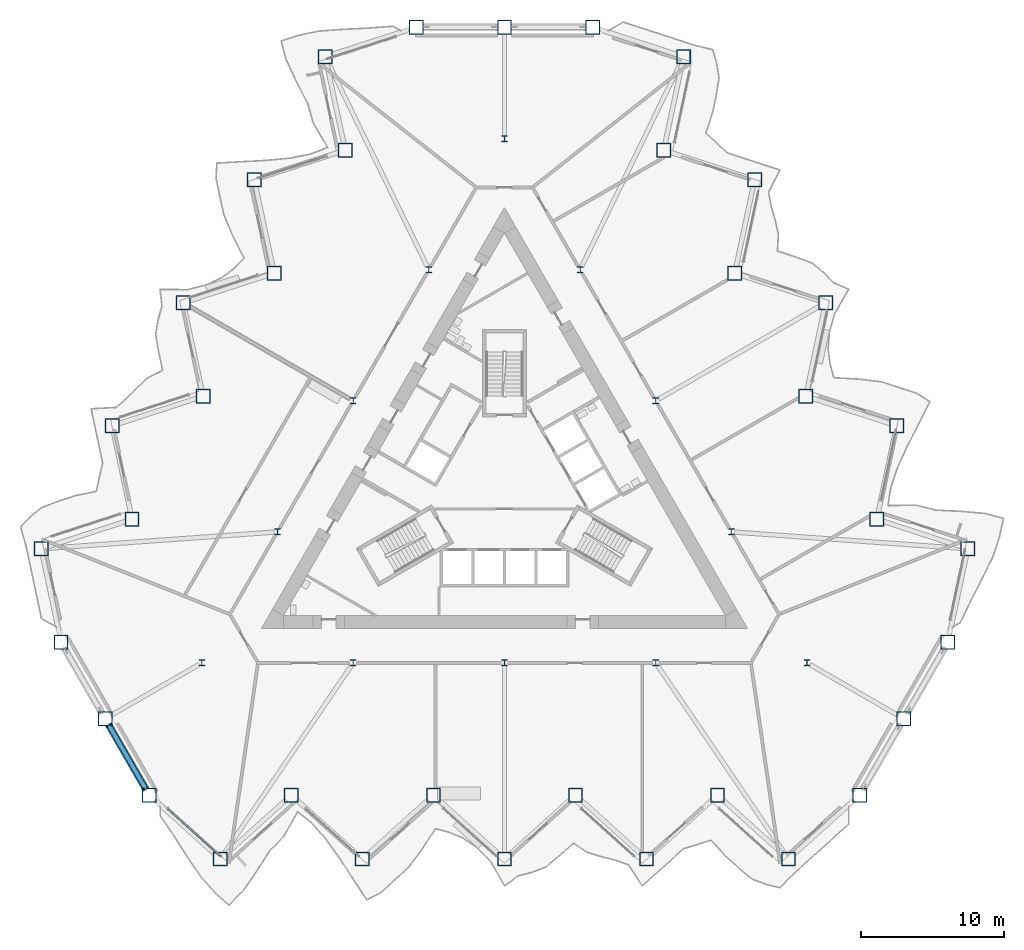
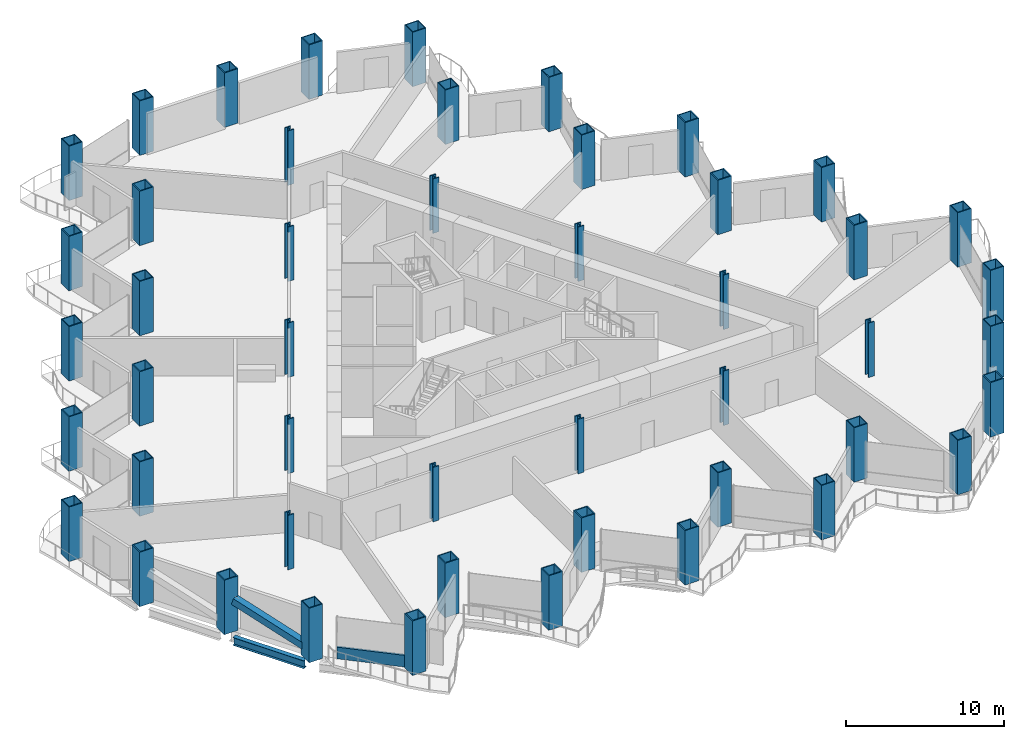
# One storey, part 1 of 20: 48 columns, 2 members, 1 beam, 1 element without a shape of its own.
"""IFC4 building model written with IfcOpenShell, lengths in metres."""

from ifc_helpers import new_model, si_unit, direction, frame, origin, origin_2d, place, context, subcontext, project, spatial, rectangle, hollow_rectangle, i_section, extrude, material, layer, layer_set, material_profile, profile_set, type_object, element, aggregate, save


model = new_model("IFC4")

# Units and contexts
model_context = context("Model", 3, precision=1e-05, world=origin(), true_north=direction((0.0, 1.0)))
body_context = subcontext(model_context, "Body", "Model", "MODEL_VIEW")
ifc_project = project(units=[si_unit("LENGTHUNIT", "METRE"), si_unit("AREAUNIT", "SQUARE_METRE"), si_unit("VOLUMEUNIT", "CUBIC_METRE"), si_unit("PLANEANGLEUNIT", "RADIAN"), si_unit("MASSUNIT", "GRAM", prefix="KILO")], contexts=[model_context])

# Site, building, storey
site_placement = place(None, origin())
site = spatial("IfcSite", under=ifc_project, at=site_placement, CompositionType="ELEMENT")
building_placement = place(site_placement, origin())
building = spatial("IfcBuilding", under=site, at=building_placement, Name="Cormorant Prow Tower", CompositionType="ELEMENT")
storey_placement = place(building_placement, frame((0.0, 0.0, 34.199951171875)))
storey = spatial("IfcBuildingStorey", under=building, at=storey_placement, Name="L06", CompositionType="ELEMENT", Elevation=34.199951171875)

# Columns
ifc_material_1 = material(Name="Structural steel ASTM A572 Gr 50", Category="steel")
ifc_material_profile_1 = material_profile(ifc_material_1, hollow_rectangle(XDim=1.0, YDim=1.0, WallThickness=0.070068359375, at=origin_2d()), Name="Box 1000x1000x70")
ifc_profile_set_1 = profile_set([ifc_material_profile_1], Name="Structural steel ASTM A572 Gr 50")
column_type_1 = type_object("IfcColumnType", Name="Perimeter box column 1000x1000x70", PredefinedType="COLUMN", material=ifc_profile_set_1)
for number, where, z_axis, x_axis, name in (
    (1, (-24.830322265625, -21.4599609375, 0.0), (0.0, 0.0, 1.0), (1.0, 0.0, 0.0), "Perimeter column C2 at S00 L06"),
    (2, (-19.8642578125, -25.931396484375, 0.0), (0.0, 0.0, 1.0), (1.0, 0.0, 0.0), "Perimeter column C2 at S01 L06"),
    (3, (-14.898193359375, -21.4599609375, 0.0), (0.0, 0.0, 1.0), (1.0, 0.0, 0.0), "Perimeter column C2 at S02 L06"),
    (4, (-9.93212890625, -25.931396484375, 0.0), (0.0, 0.0, 1.0), (1.0, 0.0, 0.0), "Perimeter column C2 at S03 L06"),
    (5, (-4.966064453125, -21.4599609375, 0.0), (0.0, 0.0, 1.0), (1.0, 0.0, 0.0), "Perimeter column C2 at S04 L06"),
    (6, (0.0, -25.931396484375, 0.0), (0.0, 0.0, 1.0), (1.0, 0.0, 0.0), "Perimeter column C2 at S05 L06"),
    (7, (4.966064453125, -21.4599609375, 0.0), (0.0, 0.0, 1.0), (1.0, 0.0, 0.0), "Perimeter column C2 at S06 L06"),
    (8, (9.93212890625, -25.931396484375, 0.0), (0.0, 0.0, 1.0), (1.0, 0.0, 0.0), "Perimeter column C2 at S07 L06"),
    (9, (14.898193359375, -21.4599609375, 0.0), (0.0, 0.0, 1.0), (1.0, 0.0, 0.0), "Perimeter column C2 at S08 L06"),
    (10, (19.8642578125, -25.931396484375, 0.0), (0.0, 0.0, 1.0), (1.0, 0.0, 0.0), "Perimeter column C2 at S09 L06"),
    (11, (24.830322265625, -21.4599609375, 0.0), (0.0, 0.0, 1.0), (1.0, 0.0, 0.0), "Perimeter column C2 at ESE00 L06"),
    (12, (27.915283203125, -16.116943359375, 0.0), (0.0, 0.0, 1.0), (1.0, 0.0, 0.0), "Perimeter column C2 at ESE01 L06"),
    (13, (31.0, -10.773681640625, 0.0), (0.0, 0.0, 1.0), (1.0, 0.0, 0.0), "Perimeter column C2 at ENE00 L06"),
    (14, (32.389404296875, -4.2373046875, 0.0), (0.0, 0.0, 1.0), (1.0, 0.0, 0.0), "Perimeter column C2 at ENE01 L06"),
    (15, (26.033935546875, -2.17236328125, 0.0), (0.0, 0.0, 1.0), (1.0, 0.0, 0.0), "Perimeter column C2 at ENE02 L06"),
    (16, (27.42333984375, 4.3642578125, 0.0), (0.0, 0.0, 1.0), (1.0, 0.0, 0.0), "Perimeter column C2 at ENE03 L06"),
    (17, (21.06787109375, 6.42919921875, 0.0), (0.0, 0.0, 1.0), (1.0, 0.0, 0.0), "Perimeter column C2 at ENE04 L06"),
    (18, (22.457275390625, 12.965576171875, 0.0), (0.0, 0.0, 1.0), (1.0, 0.0, 0.0), "Perimeter column C2 at ENE05 L06"),
    (19, (16.101806640625, 15.03076171875, 0.0), (0.0, 0.0, 1.0), (1.0, 0.0, 0.0), "Perimeter column C2 at ENE06 L06"),
    (20, (17.4912109375, 21.567138671875, 0.0), (0.0, 0.0, 1.0), (1.0, 0.0, 0.0), "Perimeter column C2 at ENE07 L06"),
    (21, (11.1357421875, 23.632080078125, 0.0), (0.0, 0.0, 1.0), (1.0, 0.0, 0.0), "Perimeter column C2 at ENE08 L06"),
    (22, (12.525146484375, 30.168701171875, 0.0), (0.0, 0.0, 1.0), (1.0, 0.0, 0.0), "Perimeter column C2 at ENE09 L06"),
    (23, (6.169677734375, 32.233642578125, 0.0), (0.0, 0.0, 1.0), (1.0, 0.0, 0.0), "Perimeter column C2 at N00 L06"),
    (24, (0.0, 32.233642578125, 0.0), (0.0, 0.0, 1.0), (1.0, 0.0, 0.0), "Perimeter column C2 at N01 L06"),
    (25, (-6.169677734375, 32.233642578125, 0.0), (0.0, 0.0, 1.0), (1.0, 0.0, 0.0), "Perimeter column C2 at WNW00 L06"),
    (26, (-12.525146484375, 30.168701171875, 0.0), (0.0, 0.0, 1.0), (1.0, 0.0, 0.0), "Perimeter column C2 at WNW01 L06"),
    (27, (-11.1357421875, 23.632080078125, 0.0), (0.0, 0.0, 1.0), (1.0, 0.0, 0.0), "Perimeter column C2 at WNW02 L06"),
    (28, (-17.4912109375, 21.567138671875, 0.0), (0.0, 0.0, 1.0), (1.0, 0.0, 0.0), "Perimeter column C2 at WNW03 L06"),
    (29, (-16.101806640625, 15.03076171875, 0.0), (0.0, 0.0, 1.0), (1.0, 0.0, 0.0), "Perimeter column C2 at WNW04 L06"),
    (30, (-22.457275390625, 12.965576171875, 0.0), (0.0, 0.0, 1.0), (1.0, 0.0, 0.0), "Perimeter column C2 at WNW05 L06"),
    (31, (-21.06787109375, 6.42919921875, 0.0), (0.0, 0.0, 1.0), (1.0, 0.0, 0.0), "Perimeter column C2 at WNW06 L06"),
    (32, (-27.42333984375, 4.3642578125, 0.0), (0.0, 0.0, 1.0), (1.0, 0.0, 0.0), "Perimeter column C2 at WNW07 L06"),
    (33, (-26.033935546875, -2.17236328125, 0.0), (0.0, 0.0, 1.0), (1.0, 0.0, 0.0), "Perimeter column C2 at WNW08 L06"),
    (34, (-32.389404296875, -4.2373046875, 0.0), (0.0, 0.0, 1.0), (1.0, 0.0, 0.0), "Perimeter column C2 at WNW09 L06"),
    (35, (-31.0, -10.773681640625, 0.0), (0.0, 0.0, 1.0), (1.0, 0.0, 0.0), "Perimeter column C2 at WSW00 L06"),
    (36, (-27.915283203125, -16.116943359375, 0.0), (0.0, 0.0, 1.0), (1.0, 0.0, 0.0), "Perimeter column C2 at WSW01 L06"),
):
    element("IfcColumn", number, at=place(storey_placement, frame(where, z_axis=z_axis, x_axis=x_axis)), inside=storey, type_object=column_type_1, Name=name, PredefinedType="COLUMN", context=body_context, shape_type="SweptSolid", body=[
        extrude(hollow_rectangle(XDim=1.0, YDim=1.0, WallThickness=0.070068359375, at=origin_2d()), origin(), (0.0, 0.0, 1.0), 4.199951171875),
    ])
ifc_material_2 = material(Name="Structural steel ASTM A992 Gr 50", Category="steel")
ifc_material_profile_2 = material_profile(ifc_material_2, i_section(OverallWidth=0.42138671875, OverallDepth=0.464599609375, WebThickness=0.044921875, FlangeThickness=0.072265625, at=origin_2d()), Name="W14x398")
ifc_profile_set_2 = profile_set([ifc_material_profile_2], Name="Structural steel ASTM A992 Gr 50")
column_type_2 = type_object("IfcColumnType", Name="Ring column W14x398", PredefinedType="COLUMN", material=ifc_profile_set_2)
for number, where, z_axis, x_axis, name in (
    (37, (0.0, 24.429931640625, 0.0), (0.0, 0.0, 1.0), (1.0, 0.0, 0.0), "Ring column 1 L06"),
    (38, (-5.289306640625, 15.268798828125, 0.0), (0.0, 0.0, 1.0), (1.0, 0.0, 0.0), "Ring column 2 L06"),
    (39, (-10.578369140625, 6.107421875, 0.0), (0.0, 0.0, 1.0), (1.0, 0.0, 0.0), "Ring column 3 L06"),
    (40, (-15.86767578125, -3.0537109375, 0.0), (0.0, 0.0, 1.0), (1.0, 0.0, 0.0), "Ring column 4 L06"),
    (41, (-21.156982421875, -12.21484375, 0.0), (0.0, 0.0, 1.0), (1.0, 0.0, 0.0), "Ring column 5 L06"),
    (42, (-10.578369140625, -12.21484375, 0.0), (0.0, 0.0, 1.0), (1.0, 0.0, 0.0), "Ring column 6 L06"),
    (43, (0.0, -12.21484375, 0.0), (0.0, 0.0, 1.0), (1.0, 0.0, 0.0), "Ring column 7 L06"),
    (44, (10.578369140625, -12.21484375, 0.0), (0.0, 0.0, 1.0), (1.0, 0.0, 0.0), "Ring column 8 L06"),
    (45, (21.156982421875, -12.21484375, 0.0), (0.0, 0.0, 1.0), (1.0, 0.0, 0.0), "Ring column 9 L06"),
    (46, (15.86767578125, -3.0537109375, 0.0), (0.0, 0.0, 1.0), (1.0, 0.0, 0.0), "Ring column 10 L06"),
    (47, (10.578369140625, 6.107421875, 0.0), (0.0, 0.0, 1.0), (1.0, 0.0, 0.0), "Ring column 11 L06"),
    (48, (5.289306640625, 15.268798828125, 0.0), (0.0, 0.0, 1.0), (1.0, 0.0, 0.0), "Ring column 12 L06"),
):
    element("IfcColumn", number, at=place(storey_placement, frame(where, z_axis=z_axis, x_axis=x_axis)), inside=storey, type_object=column_type_2, Name=name, PredefinedType="COLUMN", context=body_context, shape_type="SweptSolid", body=[
        extrude(i_section(OverallWidth=0.42138671875, OverallDepth=0.464599609375, WebThickness=0.044921875, FlangeThickness=0.072265625, at=origin_2d()), origin(), (0.0, 0.0, 1.0), 4.199951171875),
    ])

# Member
ifc_material_3 = material(Name="Structural steel ASTM A500 Gr C", Category="steel")
ifc_material_profile_3 = material_profile(ifc_material_3, hollow_rectangle(XDim=0.508056640625, YDim=0.508056640625, WallThickness=0.014892578125, at=origin_2d()), Name="HSS20x20x5/8")
ifc_profile_set_3 = profile_set([ifc_material_profile_3], Name="Structural steel ASTM A500 Gr C")
member_type_1 = type_object("IfcMemberType", Name="Chamfer brace HSS20x20x5/8", PredefinedType="BRACE", material=ifc_profile_set_3)
member_1_placement = place(storey_placement, frame((-25.089599609375, -21.0107421875, 0.767333984375), z_axis=(-0.475899695849, 0.824255918841, 0.306792535351), x_axis=(-0.866018434186, -0.500012071504, 0.0)))
element("IfcMember", 49, at=member_1_placement, inside=storey, type_object=member_type_1, Name="Chamfer brace BR1 at WSW01 L06", PredefinedType="BRACE", context=body_context, shape_type="SweptSolid", body=[
    extrude(hollow_rectangle(XDim=0.508056640625, YDim=0.508056640625, WallThickness=0.014892578125, at=origin_2d()), origin(), (0.0, 0.0, 1.0), 5.392333984375),
])

# Curtain wall, member
ifc_material_4 = material(Name="Aluminium 6063-T6", Category="aluminium")
ifc_layer = layer(ifc_material_4, 0.199951171875)
ifc_layer_set = layer_set([ifc_layer], Name="Aluminium 6063-T6")
curtain_wall_type = type_object("IfcCurtainWallType", Name="Office unitised curtain wall 200", PredefinedType="NOTDEFINED", material=ifc_layer_set)
curtain_wall_placement = place(storey_placement, origin())
curtain_wall = element("IfcCurtainWall", 50, at=curtain_wall_placement, inside=storey, type_object=curtain_wall_type, Name="Office curtain wall S00", PredefinedType="NOTDEFINED")
ifc_material_5 = material(Name="Terracotta", Category="masonry")
ifc_material_profile_4 = material_profile(ifc_material_5, rectangle(XDim=0.159912109375, YDim=0.89990234375, at=origin_2d()), Name="Office terracotta spandrel rail 160x900")
ifc_profile_set_4 = profile_set([ifc_material_profile_4], Name="Terracotta")
member_type_2 = type_object("IfcMemberType", Name="Office terracotta spandrel rail 160x900", PredefinedType="USERDEFINED", material=ifc_profile_set_4)
member_2_placement = place(storey_placement, frame((-23.520751953125, -22.399169921875, 0.449951171875), z_axis=(0.743124733633, -0.669152919938, 0.0), x_axis=(0.669152919938, 0.743124733633, 0.0)))
member_2 = element("IfcMember", 51, at=member_2_placement, type_object=member_type_2, Name="Office spandrel rail S00", ObjectType="TRANSOM", PredefinedType="USERDEFINED", context=body_context, shape_type="SweptSolid", body=[
    extrude(rectangle(XDim=0.159912109375, YDim=0.89990234375, at=origin_2d()), origin(), (0.0, 0.0, 1.0), 5.0166015625),
])
aggregate(curtain_wall, [member_2])

# Beam
ifc_material_6 = material(Name="Structural steel ASTM A992 Gr 50", Category="steel")
ifc_material_profile_5 = material_profile(ifc_material_6, i_section(OverallWidth=0.32373046875, OverallDepth=0.611083984375, WebThickness=0.0126953125, FlangeThickness=0.01904296875, at=origin_2d()), Name="W24x104")
ifc_profile_set_5 = profile_set([ifc_material_profile_5], Name="Structural steel ASTM A992 Gr 50")
beam_type = type_object("IfcBeamType", Name="Spandrel beam W24x104", PredefinedType="SPANDREL", material=ifc_profile_set_5)
beam_placement = place(storey_placement, frame((-27.665283203125, -16.5498046875, -0.70556640625), z_axis=(0.500019507279, -0.866014140959, 0.0), x_axis=(0.866014140959, 0.500019507279, 0.0)))
element("IfcBeam", 52, at=beam_placement, inside=storey, type_object=beam_type, Name="Spandrel beam SB1 WSW01-S00 L06", PredefinedType="SPANDREL", context=body_context, shape_type="SweptSolid", body=[
    extrude(i_section(OverallWidth=0.32373046875, OverallDepth=0.611083984375, WebThickness=0.0126953125, FlangeThickness=0.01904296875, at=origin_2d()), origin(), (0.0, 0.0, 1.0), 5.169677734375),
])

save(model, "model.ifc")
